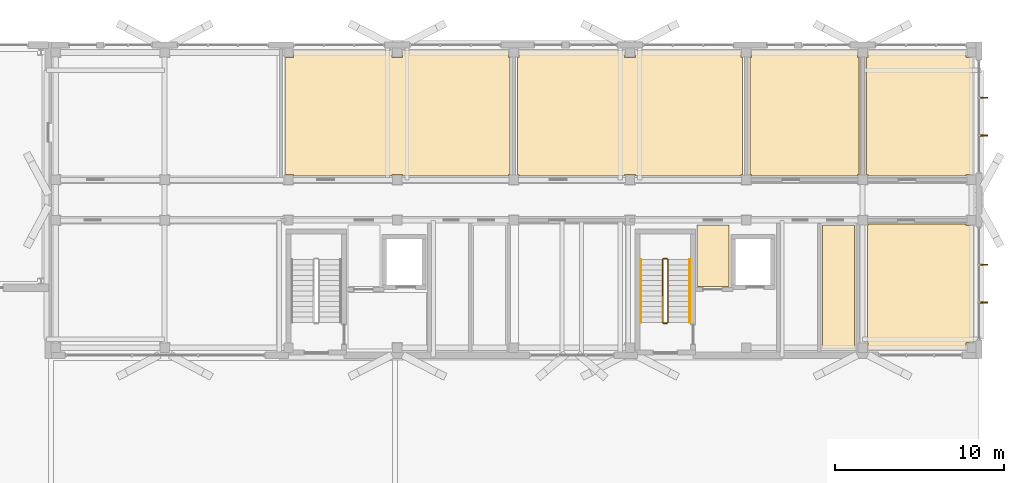
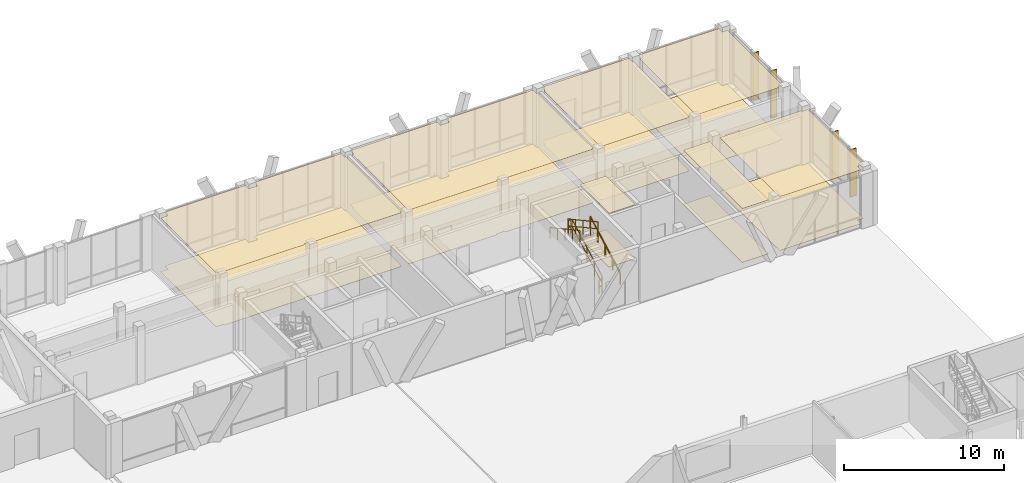
# One storey, part 233 of 233: 14 coverings, 6 railings, 4 shading devices.
"""IFC4 building model written with IfcOpenShell, lengths in metres."""

from ifc_helpers import new_model, si_unit, direction, frame, origin, origin_2d, place, context, subcontext, project, spatial, polyline, rectangle, outline, extrude, material, layer, layer_set, type_object, element, save


model = new_model("IFC4")

# Units and contexts
model_context = context("Model", 3, precision=1e-05, world=origin(), true_north=direction((0.0, 1.0)))
body_context = subcontext(model_context, "Body", "Model", "MODEL_VIEW")
ifc_project = project(units=[si_unit("LENGTHUNIT", "METRE"), si_unit("AREAUNIT", "SQUARE_METRE"), si_unit("VOLUMEUNIT", "CUBIC_METRE"), si_unit("PLANEANGLEUNIT", "RADIAN"), si_unit("MASSUNIT", "GRAM", prefix="KILO")], contexts=[model_context])

# Site, building, storey
site_placement = place(None, origin())
site = spatial("IfcSite", under=ifc_project, at=site_placement, CompositionType="ELEMENT")
building_placement = place(site_placement, origin())
building = spatial("IfcBuilding", under=site, at=building_placement, Name="Zavelmont Quarter", CompositionType="ELEMENT")
storey_placement = place(building_placement, origin())
storey = spatial("IfcBuildingStorey", under=building, at=storey_placement, Name="L00", CompositionType="ELEMENT", Elevation=0.0)

# Coverings
ifc_material_1 = material(Name="Perforated acoustic gypsum board")
ifc_layer_1 = layer(ifc_material_1, 0.02490234375)
ifc_layer_set_1 = layer_set([ifc_layer_1], Name="Perforated acoustic gypsum board")
covering_type_1 = type_object("IfcCoveringType", Name="CV-CL01", PredefinedType="CEILING", material=ifc_layer_set_1)
covering_1_placement = place(storey_placement, frame((0.0, 0.0, 4.094970703125)))
element("IfcCovering", 1, at=covering_1_placement, inside=storey, type_object=covering_type_1, Name="L00 Lobby Vestibule acoustic ceiling", PredefinedType="CEILING", context=body_context, shape_type="SweptSolid", body=[
    extrude(outline(polyline([(151.280029296875, 105.320068359375), (153.169921875, 105.320068359375), (153.169921875, 101.679931640625), (151.280029296875, 101.679931640625), (151.280029296875, 105.320068359375)])), origin(), (0.0, 0.0, 1.0), 0.025146484375),
])
covering_2_placement = place(storey_placement, frame((0.0, 0.0, 4.094970703125)))
element("IfcCovering", 2, at=covering_2_placement, inside=storey, type_object=covering_type_1, Name="L00 Refuse Chute Room acoustic ceiling", PredefinedType="CEILING", context=body_context, shape_type="SweptSolid", body=[
    extrude(outline(polyline([(158.72998046875, 105.320068359375), (160.6201171875, 105.320068359375), (160.6201171875, 97.97998046875), (158.72998046875, 97.97998046875), (158.72998046875, 105.320068359375)])), origin(), (0.0, 0.0, 1.0), 0.025146484375),
])
covering_3_placement = place(storey_placement, frame((0.0, 0.0, 4.094970703125)))
element("IfcCovering", 3, at=covering_3_placement, inside=storey, type_object=covering_type_1, Name="L00 Residents Community Room acoustic ceiling", PredefinedType="CEILING", context=body_context, shape_type="SweptSolid", body=[
    extrude(outline(polyline([(126.830078125, 115.2451171875), (127.35498046875, 115.2451171875), (127.35498046875, 115.669921875), (133.18505859375, 115.669921875), (133.18505859375, 115.2451171875), (133.81494140625, 115.2451171875), (133.81494140625, 115.669921875), (140.0849609375, 115.669921875), (140.0849609375, 115.2451171875), (140.169921875, 115.2451171875), (140.169921875, 108.31494140625), (140.0849609375, 108.31494140625), (140.0849609375, 108.22998046875), (133.81494140625, 108.22998046875), (133.81494140625, 108.31494140625), (133.18505859375, 108.31494140625), (133.18505859375, 108.22998046875), (127.35498046875, 108.22998046875), (127.35498046875, 108.31494140625), (126.830078125, 108.31494140625), (126.830078125, 115.2451171875)])), origin(), (0.0, 0.0, 1.0), 0.025146484375),
])
covering_4_placement = place(storey_placement, frame((0.0, 0.0, 4.094970703125)))
element("IfcCovering", 4, at=covering_4_placement, inside=storey, type_object=covering_type_1, Name="L00 Pram and Cycle Room acoustic ceiling", PredefinedType="CEILING", context=body_context, shape_type="SweptSolid", body=[
    extrude(outline(polyline([(140.6298828125, 115.2451171875), (140.715087890625, 115.2451171875), (140.715087890625, 115.669921875), (146.985107421875, 115.669921875), (146.985107421875, 115.2451171875), (147.614990234375, 115.2451171875), (147.614990234375, 115.669921875), (153.885009765625, 115.669921875), (153.885009765625, 115.2451171875), (153.969970703125, 115.2451171875), (153.969970703125, 108.31494140625), (153.885009765625, 108.31494140625), (153.885009765625, 108.22998046875), (147.614990234375, 108.22998046875), (147.614990234375, 108.31494140625), (146.985107421875, 108.31494140625), (146.985107421875, 108.22998046875), (140.715087890625, 108.22998046875), (140.715087890625, 108.31494140625), (140.6298828125, 108.31494140625), (140.6298828125, 115.2451171875)])), origin(), (0.0, 0.0, 1.0), 0.025146484375),
])
covering_5_placement = place(storey_placement, frame((0.0, 0.0, 4.094970703125)))
element("IfcCovering", 5, at=covering_5_placement, inside=storey, type_object=covering_type_1, Name="L00 Refuse and Recycling Room acoustic ceiling", PredefinedType="CEILING", context=body_context, shape_type="SweptSolid", body=[
    extrude(outline(polyline([(154.429931640625, 115.2451171875), (154.514892578125, 115.2451171875), (154.514892578125, 115.669921875), (160.784912109375, 115.669921875), (160.784912109375, 115.2451171875), (160.8701171875, 115.2451171875), (160.8701171875, 108.31494140625), (160.784912109375, 108.31494140625), (160.784912109375, 108.22998046875), (154.514892578125, 108.22998046875), (154.514892578125, 108.31494140625), (154.429931640625, 108.31494140625), (154.429931640625, 115.2451171875)])), origin(), (0.0, 0.0, 1.0), 0.025146484375),
])
covering_6_placement = place(storey_placement, frame((0.0, 0.0, 4.094970703125)))
element("IfcCovering", 6, at=covering_6_placement, inside=storey, type_object=covering_type_1, Name="L00 Garden Tool and Parcel Room acoustic ceiling", PredefinedType="CEILING", context=body_context, shape_type="SweptSolid", body=[
    extrude(outline(polyline([(161.3798828125, 105.284912109375), (161.4150390625, 105.284912109375), (161.4150390625, 105.3701171875), (167.2451171875, 105.3701171875), (167.2451171875, 105.284912109375), (167.669921875, 105.284912109375), (167.669921875, 98.35498046875), (167.2451171875, 98.35498046875), (167.2451171875, 97.929931640625), (161.4150390625, 97.929931640625), (161.4150390625, 98.35498046875), (161.3798828125, 98.35498046875), (161.3798828125, 105.284912109375)])), origin(), (0.0, 0.0, 1.0), 0.025146484375),
])
ifc_material_2 = material(Name="Moisture-resistant painted gypsum ceiling")
ifc_layer_2 = layer(ifc_material_2, 0.02001953125)
ifc_layer_set_2 = layer_set([ifc_layer_2], Name="Moisture-resistant painted gypsum ceiling")
covering_type_2 = type_object("IfcCoveringType", Name="CV-CL04", PredefinedType="CEILING", material=ifc_layer_set_2)
covering_7_placement = place(storey_placement, frame((0.0, 0.0, 4.10009765625)))
element("IfcCovering", 7, at=covering_7_placement, inside=storey, type_object=covering_type_2, Name="L00 Accessible Toilet acoustic ceiling", PredefinedType="CEILING", context=body_context, shape_type="SweptSolid", body=[
    extrude(outline(polyline([(161.330078125, 115.2451171875), (161.4150390625, 115.2451171875), (161.4150390625, 115.669921875), (167.2451171875, 115.669921875), (167.2451171875, 115.2451171875), (167.6201171875, 115.2451171875), (167.6201171875, 108.31494140625), (167.2451171875, 108.31494140625), (167.2451171875, 108.22998046875), (161.4150390625, 108.22998046875), (161.4150390625, 108.31494140625), (161.330078125, 108.31494140625), (161.330078125, 115.2451171875)])), origin(), (0.0, 0.0, 1.0), 0.02001953125),
])
ifc_material_3 = material(Name="Engineered European oak parquet")
ifc_layer_3 = layer(ifc_material_3, 0.02197265625)
ifc_layer_set_3 = layer_set([ifc_layer_3], Name="Engineered European oak parquet")
covering_type_3 = type_object("IfcCoveringType", Name="CV-FL01", PredefinedType="FLOORING", material=ifc_layer_set_3)
covering_8_placement = place(storey_placement, origin())
element("IfcCovering", 8, at=covering_8_placement, inside=storey, type_object=covering_type_3, Name="L00 Lobby Vestibule floor finish", PredefinedType="FLOORING", context=body_context, shape_type="SweptSolid", body=[
    extrude(outline(polyline([(151.280029296875, 105.320068359375), (153.169921875, 105.320068359375), (153.169921875, 101.679931640625), (151.280029296875, 101.679931640625), (151.280029296875, 105.320068359375)])), origin(), (0.0, 0.0, 1.0), 0.02197265625),
])
covering_9_placement = place(storey_placement, origin())
element("IfcCovering", 9, at=covering_9_placement, inside=storey, type_object=covering_type_3, Name="L00 Refuse Chute Room floor finish", PredefinedType="FLOORING", context=body_context, shape_type="SweptSolid", body=[
    extrude(outline(polyline([(158.72998046875, 105.320068359375), (160.6201171875, 105.320068359375), (160.6201171875, 97.97998046875), (158.72998046875, 97.97998046875), (158.72998046875, 105.320068359375)])), origin(), (0.0, 0.0, 1.0), 0.02197265625),
])
covering_10_placement = place(storey_placement, origin())
element("IfcCovering", 10, at=covering_10_placement, inside=storey, type_object=covering_type_3, Name="L00 Residents Community Room floor finish", PredefinedType="FLOORING", context=body_context, shape_type="SweptSolid", body=[
    extrude(outline(polyline([(126.830078125, 115.2451171875), (127.35498046875, 115.2451171875), (127.35498046875, 115.669921875), (133.18505859375, 115.669921875), (133.18505859375, 115.2451171875), (133.81494140625, 115.2451171875), (133.81494140625, 115.669921875), (140.0849609375, 115.669921875), (140.0849609375, 115.2451171875), (140.169921875, 115.2451171875), (140.169921875, 108.31494140625), (140.0849609375, 108.31494140625), (140.0849609375, 108.22998046875), (133.81494140625, 108.22998046875), (133.81494140625, 108.31494140625), (133.18505859375, 108.31494140625), (133.18505859375, 108.22998046875), (127.35498046875, 108.22998046875), (127.35498046875, 108.31494140625), (126.830078125, 108.31494140625), (126.830078125, 115.2451171875)])), origin(), (0.0, 0.0, 1.0), 0.02197265625),
])
covering_11_placement = place(storey_placement, origin())
element("IfcCovering", 11, at=covering_11_placement, inside=storey, type_object=covering_type_3, Name="L00 Pram and Cycle Room floor finish", PredefinedType="FLOORING", context=body_context, shape_type="SweptSolid", body=[
    extrude(outline(polyline([(140.6298828125, 115.2451171875), (140.715087890625, 115.2451171875), (140.715087890625, 115.669921875), (146.985107421875, 115.669921875), (146.985107421875, 115.2451171875), (147.614990234375, 115.2451171875), (147.614990234375, 115.669921875), (153.885009765625, 115.669921875), (153.885009765625, 115.2451171875), (153.969970703125, 115.2451171875), (153.969970703125, 108.31494140625), (153.885009765625, 108.31494140625), (153.885009765625, 108.22998046875), (147.614990234375, 108.22998046875), (147.614990234375, 108.31494140625), (146.985107421875, 108.31494140625), (146.985107421875, 108.22998046875), (140.715087890625, 108.22998046875), (140.715087890625, 108.31494140625), (140.6298828125, 108.31494140625), (140.6298828125, 115.2451171875)])), origin(), (0.0, 0.0, 1.0), 0.02197265625),
])
covering_12_placement = place(storey_placement, origin())
element("IfcCovering", 12, at=covering_12_placement, inside=storey, type_object=covering_type_3, Name="L00 Refuse and Recycling Room floor finish", PredefinedType="FLOORING", context=body_context, shape_type="SweptSolid", body=[
    extrude(outline(polyline([(154.429931640625, 115.2451171875), (154.514892578125, 115.2451171875), (154.514892578125, 115.669921875), (160.784912109375, 115.669921875), (160.784912109375, 115.2451171875), (160.8701171875, 115.2451171875), (160.8701171875, 108.31494140625), (160.784912109375, 108.31494140625), (160.784912109375, 108.22998046875), (154.514892578125, 108.22998046875), (154.514892578125, 108.31494140625), (154.429931640625, 108.31494140625), (154.429931640625, 115.2451171875)])), origin(), (0.0, 0.0, 1.0), 0.02197265625),
])
covering_13_placement = place(storey_placement, origin())
element("IfcCovering", 13, at=covering_13_placement, inside=storey, type_object=covering_type_3, Name="L00 Garden Tool and Parcel Room floor finish", PredefinedType="FLOORING", context=body_context, shape_type="SweptSolid", body=[
    extrude(outline(polyline([(161.3798828125, 105.284912109375), (161.4150390625, 105.284912109375), (161.4150390625, 105.3701171875), (167.2451171875, 105.3701171875), (167.2451171875, 105.284912109375), (167.669921875, 105.284912109375), (167.669921875, 98.35498046875), (167.2451171875, 98.35498046875), (167.2451171875, 97.929931640625), (161.4150390625, 97.929931640625), (161.4150390625, 98.35498046875), (161.3798828125, 98.35498046875), (161.3798828125, 105.284912109375)])), origin(), (0.0, 0.0, 1.0), 0.02197265625),
])
ifc_material_4 = material(Name="Slip-resistant porcelain tile")
ifc_layer_4 = layer(ifc_material_4, 0.02587890625)
ifc_layer_set_4 = layer_set([ifc_layer_4], Name="Slip-resistant porcelain tile")
covering_type_4 = type_object("IfcCoveringType", Name="CV-FL04", PredefinedType="FLOORING", material=ifc_layer_set_4)
covering_14_placement = place(storey_placement, origin())
element("IfcCovering", 14, at=covering_14_placement, inside=storey, type_object=covering_type_4, Name="L00 Accessible Toilet floor finish", PredefinedType="FLOORING", context=body_context, shape_type="SweptSolid", body=[
    extrude(outline(polyline([(161.330078125, 115.2451171875), (161.4150390625, 115.2451171875), (161.4150390625, 115.669921875), (167.2451171875, 115.669921875), (167.2451171875, 115.2451171875), (167.6201171875, 115.2451171875), (167.6201171875, 108.31494140625), (167.2451171875, 108.31494140625), (167.2451171875, 108.22998046875), (161.4150390625, 108.22998046875), (161.4150390625, 108.31494140625), (161.330078125, 108.31494140625), (161.330078125, 115.2451171875)])), origin(), (0.0, 0.0, 1.0), 0.02587890625),
])

# Railings
ifc_material_5 = material(Name="Powder-coated steel stair guardrail", Category="steel")
railing_type_1 = type_object("IfcRailingType", Name="RL-GRD1", PredefinedType="GUARDRAIL", material=ifc_material_5)
railing_1_placement = place(storey_placement, frame((149.550048828125, 99.550048828125, 0.169189453125)))
element("IfcRailing", 15, at=railing_1_placement, inside=storey, type_object=railing_type_1, Name="L00 ST06 stair guardrail 1", PredefinedType="GUARDRAIL", context=body_context, shape_type="SweptSolid", body=[
    extrude(rectangle(XDim=0.048095703125, YDim=0.048095703125, at=origin_2d()), frame((0.0, 0.0, 1.076171875), z_axis=(0.0, 0.877728207833, 0.479158839191), x_axis=(-1.0, 0.0, 0.0)), (0.0, 0.0, 1.0), 4.23828125),
    extrude(rectangle(XDim=0.048095703125, YDim=0.048095703125, at=origin_2d()), frame((0.0, 0.0, 0.550048828125), z_axis=(0.0, 0.877728207833, 0.479158839191), x_axis=(-1.0, 0.0, 0.0)), (0.0, 0.0, 1.0), 4.23828125),
    extrude(rectangle(XDim=0.0419921875, YDim=0.0419921875, at=origin_2d()), origin(), (0.0, 0.0, 1.0), 1.052001953125),
    extrude(rectangle(XDim=0.0419921875, YDim=0.0419921875, at=origin_2d()), frame((0.0, 0.929931640625, 0.5078125)), (0.0, 0.0, 1.0), 1.052001953125),
    extrude(rectangle(XDim=0.0419921875, YDim=0.0419921875, at=origin_2d()), frame((0.0, 1.85986328125, 1.015380859375)), (0.0, 0.0, 1.0), 1.052001953125),
    extrude(rectangle(XDim=0.0419921875, YDim=0.0419921875, at=origin_2d()), frame((0.0, 2.7900390625, 1.52294921875)), (0.0, 0.0, 1.0), 1.052001953125),
    extrude(rectangle(XDim=0.0419921875, YDim=0.0419921875, at=origin_2d()), frame((0.0, 3.719970703125, 2.03076171875)), (0.0, 0.0, 1.0), 1.052001953125),
])
railing_2_placement = place(storey_placement, frame((149.5, 103.320068359375, 2.199951171875)))
element("IfcRailing", 16, at=railing_2_placement, inside=storey, type_object=railing_type_1, Name="L00 ST06 stair guardrail 2", PredefinedType="GUARDRAIL", context=body_context, shape_type="SweptSolid", body=[
    extrude(rectangle(XDim=0.048095703125, YDim=0.048095703125, at=origin_2d()), frame((0.0, 0.0, 1.076171875), z_axis=(-1.0, 0.0, 0.0), x_axis=(0.0, -1.0, 0.0)), (0.0, 0.0, 1.0), 0.199951171875),
    extrude(rectangle(XDim=0.048095703125, YDim=0.048095703125, at=origin_2d()), frame((0.0, 0.0, 0.550048828125), z_axis=(-1.0, 0.0, 0.0), x_axis=(0.0, -1.0, 0.0)), (0.0, 0.0, 1.0), 0.199951171875),
    extrude(rectangle(XDim=0.0419921875, YDim=0.0419921875, at=origin_2d()), origin(), (0.0, 0.0, 1.0), 1.052001953125),
    extrude(rectangle(XDim=0.0419921875, YDim=0.0419921875, at=origin_2d()), frame((-0.199951171875, 0.0, 0.0)), (0.0, 0.0, 1.0), 1.052001953125),
])
railing_3_placement = place(storey_placement, frame((149.25, 103.27001953125, 2.369140625)))
element("IfcRailing", 17, at=railing_3_placement, inside=storey, type_object=railing_type_1, Name="L00 ST06 stair guardrail 3", PredefinedType="GUARDRAIL", context=body_context, shape_type="SweptSolid", body=[
    extrude(rectangle(XDim=0.048095703125, YDim=0.048095703125, at=origin_2d()), frame((0.0, 0.0, 1.076171875), z_axis=(0.0, -0.877728207833, 0.479158839191), x_axis=(1.0, 0.0, 0.0)), (0.0, 0.0, 1.0), 4.23828125),
    extrude(rectangle(XDim=0.048095703125, YDim=0.048095703125, at=origin_2d()), frame((0.0, 0.0, 0.550048828125), z_axis=(0.0, -0.877728207833, 0.479158839191), x_axis=(1.0, 0.0, 0.0)), (0.0, 0.0, 1.0), 4.23828125),
    extrude(rectangle(XDim=0.0419921875, YDim=0.0419921875, at=origin_2d()), origin(), (0.0, 0.0, 1.0), 1.052001953125),
    extrude(rectangle(XDim=0.0419921875, YDim=0.0419921875, at=origin_2d()), frame((0.0, -0.929931640625, 0.5078125)), (0.0, 0.0, 1.0), 1.052001953125),
    extrude(rectangle(XDim=0.0419921875, YDim=0.0419921875, at=origin_2d()), frame((0.0, -1.85986328125, 1.015380859375)), (0.0, 0.0, 1.0), 1.052001953125),
    extrude(rectangle(XDim=0.0419921875, YDim=0.0419921875, at=origin_2d()), frame((0.0, -2.7900390625, 1.52294921875)), (0.0, 0.0, 1.0), 1.052001953125),
    extrude(rectangle(XDim=0.0419921875, YDim=0.0419921875, at=origin_2d()), frame((0.0, -3.719970703125, 2.03076171875)), (0.0, 0.0, 1.0), 1.052001953125),
])
railing_4_placement = place(storey_placement, frame((149.5, 99.5, 0.0)))
element("IfcRailing", 18, at=railing_4_placement, inside=storey, type_object=railing_type_1, Name="L00 ST06 stair guardrail 4", PredefinedType="GUARDRAIL", context=body_context, shape_type="SweptSolid", body=[
    extrude(rectangle(XDim=0.048095703125, YDim=0.048095703125, at=origin_2d()), frame((0.0, 0.0, 1.076171875), z_axis=(-1.0, 0.0, 0.0), x_axis=(0.0, -1.0, 0.0)), (0.0, 0.0, 1.0), 0.199951171875),
    extrude(rectangle(XDim=0.048095703125, YDim=0.048095703125, at=origin_2d()), frame((0.0, 0.0, 0.550048828125), z_axis=(-1.0, 0.0, 0.0), x_axis=(0.0, -1.0, 0.0)), (0.0, 0.0, 1.0), 0.199951171875),
    extrude(rectangle(XDim=0.0419921875, YDim=0.0419921875, at=origin_2d()), origin(), (0.0, 0.0, 1.0), 1.052001953125),
    extrude(rectangle(XDim=0.0419921875, YDim=0.0419921875, at=origin_2d()), frame((-0.199951171875, 0.0, 0.0)), (0.0, 0.0, 1.0), 1.052001953125),
])
ifc_material_6 = material(Name="Brushed stainless-steel wall handrail", Category="steel")
railing_type_2 = type_object("IfcRailingType", Name="RL-HND1", PredefinedType="HANDRAIL", material=ifc_material_6)
railing_5_placement = place(storey_placement, frame((150.85009765625, 99.550048828125, 0.169189453125)))
element("IfcRailing", 19, at=railing_5_placement, inside=storey, type_object=railing_type_2, Name="L00 ST06 stair handrail 1", PredefinedType="HANDRAIL", context=body_context, shape_type="SweptSolid", body=[
    extrude(rectangle(XDim=0.048095703125, YDim=0.048095703125, at=origin_2d()), frame((0.0, 0.0, 0.8759765625), z_axis=(0.0, 0.877728207833, 0.479158839191), x_axis=(-1.0, 0.0, 0.0)), (0.0, 0.0, 1.0), 4.23828125),
    extrude(rectangle(XDim=0.0419921875, YDim=0.0419921875, at=origin_2d()), origin(), (0.0, 0.0, 1.0), 0.851806640625),
    extrude(rectangle(XDim=0.0419921875, YDim=0.0419921875, at=origin_2d()), frame((0.0, 0.929931640625, 0.5078125)), (0.0, 0.0, 1.0), 0.851806640625),
    extrude(rectangle(XDim=0.0419921875, YDim=0.0419921875, at=origin_2d()), frame((0.0, 1.85986328125, 1.015380859375)), (0.0, 0.0, 1.0), 0.851806640625),
    extrude(rectangle(XDim=0.0419921875, YDim=0.0419921875, at=origin_2d()), frame((0.0, 2.7900390625, 1.52294921875)), (0.0, 0.0, 1.0), 0.851806640625),
    extrude(rectangle(XDim=0.0419921875, YDim=0.0419921875, at=origin_2d()), frame((0.0, 3.719970703125, 2.03076171875)), (0.0, 0.0, 1.0), 0.851806640625),
])
railing_6_placement = place(storey_placement, frame((147.949951171875, 103.27001953125, 2.369140625)))
element("IfcRailing", 20, at=railing_6_placement, inside=storey, type_object=railing_type_2, Name="L00 ST06 stair handrail 2", PredefinedType="HANDRAIL", context=body_context, shape_type="SweptSolid", body=[
    extrude(rectangle(XDim=0.048095703125, YDim=0.048095703125, at=origin_2d()), frame((0.0, 0.0, 0.8759765625), z_axis=(0.0, -0.877728207833, 0.479158839191), x_axis=(1.0, 0.0, 0.0)), (0.0, 0.0, 1.0), 4.23828125),
    extrude(rectangle(XDim=0.0419921875, YDim=0.0419921875, at=origin_2d()), origin(), (0.0, 0.0, 1.0), 0.851806640625),
    extrude(rectangle(XDim=0.0419921875, YDim=0.0419921875, at=origin_2d()), frame((0.0, -0.929931640625, 0.5078125)), (0.0, 0.0, 1.0), 0.851806640625),
    extrude(rectangle(XDim=0.0419921875, YDim=0.0419921875, at=origin_2d()), frame((0.0, -1.85986328125, 1.015380859375)), (0.0, 0.0, 1.0), 0.851806640625),
    extrude(rectangle(XDim=0.0419921875, YDim=0.0419921875, at=origin_2d()), frame((0.0, -2.7900390625, 1.52294921875)), (0.0, 0.0, 1.0), 0.851806640625),
    extrude(rectangle(XDim=0.0419921875, YDim=0.0419921875, at=origin_2d()), frame((0.0, -3.719970703125, 2.03076171875)), (0.0, 0.0, 1.0), 0.851806640625),
])

# Shading devices
ifc_material_7 = material(Name="Anodised aluminium EN AW-6063-T6", Category="aluminium")
shading_device_type = type_object("IfcShadingDeviceType", Name="SD01", PredefinedType="JALOUSIE", material=ifc_material_7)
for number, where, z_axis, x_axis, name in (
    (21, (168.294921875, 100.7333984375, 0.050048828125), (0.0, 0.0, 1.0), (0.0, 1.0, 0.0), "L00 solar brise-soleil fin SD01"),
    (22, (168.294921875, 102.966796875, 0.050048828125), (0.0, 0.0, 1.0), (0.0, 1.0, 0.0), "L00 solar brise-soleil fin SD01"),
    (23, (168.294921875, 110.63330078125, 0.050048828125), (0.0, 0.0, 1.0), (0.0, 1.0, 0.0), "L00 solar brise-soleil fin SD01"),
    (24, (168.294921875, 112.86669921875, 0.050048828125), (0.0, 0.0, 1.0), (0.0, 1.0, 0.0), "L00 solar brise-soleil fin SD01"),
):
    element("IfcShadingDevice", number, at=place(storey_placement, frame(where, z_axis=z_axis, x_axis=x_axis)), inside=storey, type_object=shading_device_type, Name=name, PredefinedType="JALOUSIE", context=body_context, shape_type="SweptSolid", body=[
        extrude(rectangle(XDim=0.080078125, YDim=0.449951171875, at=origin_2d()), origin(), (0.0, 0.0, 1.0), 3.60009765625),
    ])

save(model, "model.ifc")
